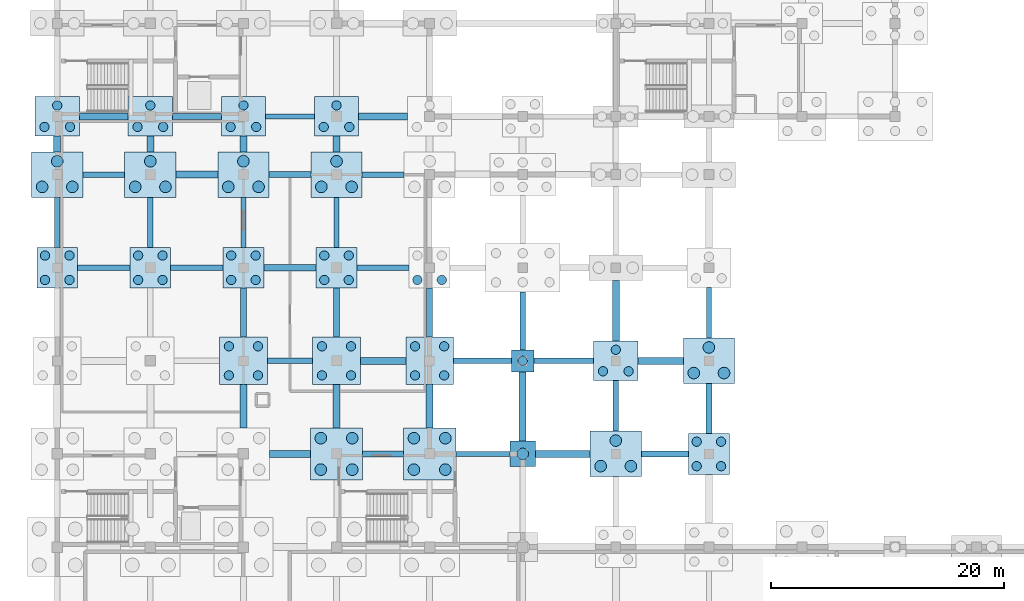
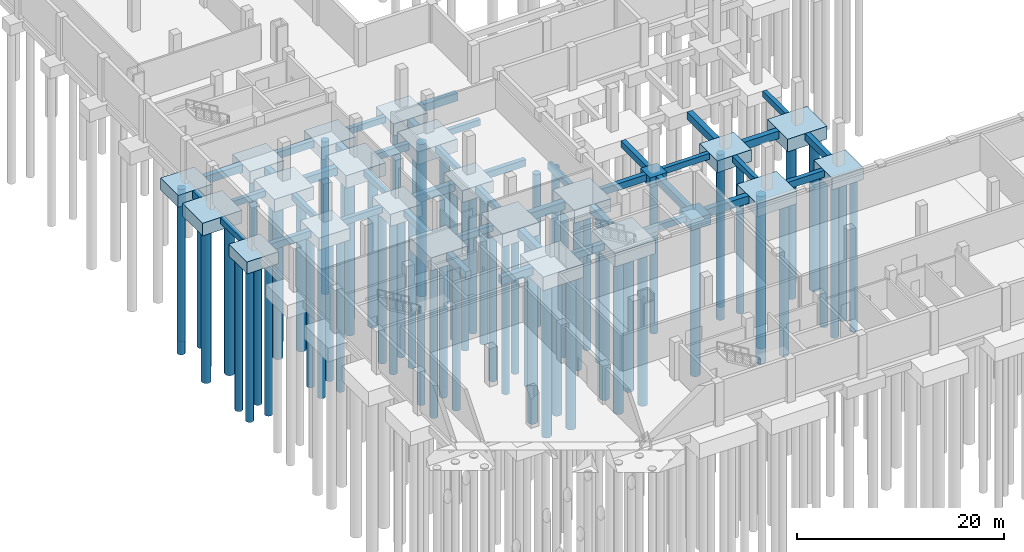
# One storey, part 3 of 26: 77 piles, 65 footings.
"""IFC4 building model written with IfcOpenShell, lengths in metres."""

from ifc_helpers import new_model, si_unit, direction, frame, origin, origin_2d, place, context, subcontext, project, spatial, rectangle, circle, extrude, material, layer, layer_set, material_profile, profile_set, type_object, element, save


model = new_model("IFC4")

# Units and contexts
model_context = context("Model", 3, precision=1e-05, world=origin(), true_north=direction((0.0, 1.0)))
body_context = subcontext(model_context, "Body", "Model", "MODEL_VIEW")
ifc_project = project(units=[si_unit("LENGTHUNIT", "METRE"), si_unit("AREAUNIT", "SQUARE_METRE"), si_unit("VOLUMEUNIT", "CUBIC_METRE"), si_unit("PLANEANGLEUNIT", "RADIAN"), si_unit("MASSUNIT", "GRAM", prefix="KILO")], contexts=[model_context])

# Site, building, storey
site_placement = place(None, origin())
site = spatial("IfcSite", under=ifc_project, at=site_placement, CompositionType="ELEMENT")
building_placement = place(site_placement, origin())
building = spatial("IfcBuilding", under=site, at=building_placement, Name="Qorikala Patio Media Centre", CompositionType="ELEMENT")
storey_placement = place(building_placement, frame((0.0, 0.0, -4.5)))
storey = spatial("IfcBuildingStorey", under=building, at=storey_placement, Name="B1", CompositionType="ELEMENT", Elevation=-4.5)

# Footings
ifc_material = material(Name="Concrete C30/37", Category="concrete")
ifc_material_profile_1 = material_profile(ifc_material, rectangle(XDim=0.449951171875, YDim=0.699951171875, at=origin_2d()), Name="RC 450x700")
ifc_profile_set_1 = profile_set([ifc_material_profile_1], Name="Concrete C30/37")
footing_type_1 = type_object("IfcFootingType", Name="GB-450X700", PredefinedType="FOOTING_BEAM", material=ifc_profile_set_1)
footing_1_placement = place(storey_placement, frame((37.25, 35.0, -0.949951171875), z_axis=(1.0, 0.0, 0.0), x_axis=(0.0, 1.0, 0.0)))
element("IfcFooting", 1, at=footing_1_placement, inside=storey, type_object=footing_type_1, Name="Ground Tie Beam X-089", PredefinedType="FOOTING_BEAM", context=body_context, shape_type="SweptSolid", body=[
    extrude(rectangle(XDim=0.449951171875, YDim=0.699951171875, at=origin_2d()), origin(), (0.0, 0.0, 1.0), 4.64990234375),
])
footing_2_placement = place(storey_placement, frame((21.050048828125, 43.0, -0.949951171875), z_axis=(1.0, 0.0, 0.0), x_axis=(0.0, 1.0, 0.0)))
element("IfcFooting", 2, at=footing_2_placement, inside=storey, type_object=footing_type_1, Name="Ground Tie Beam X-098", PredefinedType="FOOTING_BEAM", context=body_context, shape_type="SweptSolid", body=[
    extrude(rectangle(XDim=0.449951171875, YDim=0.699951171875, at=origin_2d()), origin(), (0.0, 0.0, 1.0), 3.89990234375),
])
footing_3_placement = place(storey_placement, frame((43.949951171875, 43.0, -0.949951171875), z_axis=(1.0, 0.0, 0.0), x_axis=(0.0, 1.0, 0.0)))
element("IfcFooting", 3, at=footing_3_placement, inside=storey, type_object=footing_type_1, Name="Ground Tie Beam X-101", PredefinedType="FOOTING_BEAM", context=body_context, shape_type="SweptSolid", body=[
    extrude(rectangle(XDim=0.449951171875, YDim=0.699951171875, at=origin_2d()), origin(), (0.0, 0.0, 1.0), 5.150146484375),
])
footing_4_placement = place(storey_placement, frame((12.75, 51.0, -0.949951171875), z_axis=(1.0, 0.0, 0.0), x_axis=(0.0, 1.0, 0.0)))
element("IfcFooting", 4, at=footing_4_placement, inside=storey, type_object=footing_type_1, Name="Ground Tie Beam X-104", PredefinedType="FOOTING_BEAM", context=body_context, shape_type="SweptSolid", body=[
    extrude(rectangle(XDim=0.449951171875, YDim=0.699951171875, at=origin_2d()), origin(), (0.0, 0.0, 1.0), 4.5),
])
for number, where, z_axis, x_axis, name in (
    (5, (5.199951171875, 59.0, -0.949951171875), (1.0, 0.0, 0.0), (0.0, 1.0, 0.0), "Ground Tie Beam X-110"),
    (6, (29.199951171875, 59.0, -0.949951171875), (1.0, 0.0, 0.0), (0.0, 1.0, 0.0), "Ground Tie Beam X-113"),
):
    element("IfcFooting", number, at=place(storey_placement, frame(where, z_axis=z_axis, x_axis=x_axis)), inside=storey, type_object=footing_type_1, Name=name, PredefinedType="FOOTING_BEAM", context=body_context, shape_type="SweptSolid", body=[
        extrude(rectangle(XDim=0.449951171875, YDim=0.699951171875, at=origin_2d()), origin(), (0.0, 0.0, 1.0), 3.60009765625),
    ])
footing_5_placement = place(storey_placement, frame((20.89990234375, 64.0, -0.949951171875), z_axis=(1.0, 0.0, 0.0), x_axis=(0.0, 1.0, 0.0)))
element("IfcFooting", 7, at=footing_5_placement, inside=storey, type_object=footing_type_1, Name="Ground Tie Beam X-119", PredefinedType="FOOTING_BEAM", context=body_context, shape_type="SweptSolid", body=[
    extrude(rectangle(XDim=0.449951171875, YDim=0.699951171875, at=origin_2d()), origin(), (0.0, 0.0, 1.0), 4.2001953125),
])
for number, where, z_axis, x_axis, name in (
    (8, (3.0, 52.75, -0.949951171875), (0.0, 1.0, 0.0), (-1.0, 0.0, 0.0), "Ground Tie Beam Y-173"),
    (9, (11.0, 52.75, -0.949951171875), (0.0, 1.0, 0.0), (-1.0, 0.0, 0.0), "Ground Tie Beam Y-188"),
    (10, (19.0, 52.75, -0.949951171875), (0.0, 1.0, 0.0), (-1.0, 0.0, 0.0), "Ground Tie Beam Y-203"),
    (11, (27.0, 52.75, -0.949951171875), (0.0, 1.0, 0.0), (-1.0, 0.0, 0.0), "Ground Tie Beam Y-218"),
):
    element("IfcFooting", number, at=place(storey_placement, frame(where, z_axis=z_axis, x_axis=x_axis)), inside=storey, type_object=footing_type_1, Name=name, PredefinedType="FOOTING_BEAM", context=body_context, shape_type="SweptSolid", body=[
        extrude(rectangle(XDim=0.449951171875, YDim=0.699951171875, at=origin_2d()), origin(), (0.0, 0.0, 1.0), 4.300048828125),
    ])
for number, where, z_axis, x_axis, name in (
    (12, (51.0, 36.949951171875, -0.949951171875), (0.0, 1.0, 0.0), (-1.0, 0.0, 0.0), "Ground Tie Beam Y-248"),
    (13, (59.0, 44.949951171875, -0.949951171875), (0.0, 1.0, 0.0), (-1.0, 0.0, 0.0), "Ground Tie Beam Y-263"),
):
    element("IfcFooting", number, at=place(storey_placement, frame(where, z_axis=z_axis, x_axis=x_axis)), inside=storey, type_object=footing_type_1, Name=name, PredefinedType="FOOTING_BEAM", context=body_context, shape_type="SweptSolid", body=[
        extrude(rectangle(XDim=0.449951171875, YDim=0.699951171875, at=origin_2d()), origin(), (0.0, 0.0, 1.0), 4.35009765625),
    ])
ifc_material_profile_2 = material_profile(ifc_material, rectangle(XDim=0.5, YDim=0.800048828125, at=origin_2d()), Name="RC 500x800")
ifc_profile_set_2 = profile_set([ifc_material_profile_2], Name="Concrete C30/37")
footing_type_2 = type_object("IfcFootingType", Name="GB-500X800", PredefinedType="FOOTING_BEAM", material=ifc_profile_set_2)
footing_6_placement = place(storey_placement, frame((29.25, 35.0, -1.0), z_axis=(1.0, 0.0, 0.0), x_axis=(0.0, 1.0, 0.0)))
element("IfcFooting", 14, at=footing_6_placement, inside=storey, type_object=footing_type_2, Name="Ground Tie Beam X-088", PredefinedType="FOOTING_BEAM", context=body_context, shape_type="SweptSolid", body=[
    extrude(rectangle(XDim=0.5, YDim=0.800048828125, at=origin_2d()), origin(), (0.0, 0.0, 1.0), 3.5),
])
footing_7_placement = place(storey_placement, frame((53.199951171875, 35.0, -1.0), z_axis=(1.0, 0.0, 0.0), x_axis=(0.0, 1.0, 0.0)))
element("IfcFooting", 15, at=footing_7_placement, inside=storey, type_object=footing_type_2, Name="Ground Tie Beam X-091", PredefinedType="FOOTING_BEAM", context=body_context, shape_type="SweptSolid", body=[
    extrude(rectangle(XDim=0.5, YDim=0.800048828125, at=origin_2d()), origin(), (0.0, 0.0, 1.0), 4.050048828125),
])
footing_8_placement = place(storey_placement, frame((37.050048828125, 43.0, -1.0), z_axis=(1.0, 0.0, 0.0), x_axis=(0.0, 1.0, 0.0)))
element("IfcFooting", 16, at=footing_8_placement, inside=storey, type_object=footing_type_2, Name="Ground Tie Beam X-100", PredefinedType="FOOTING_BEAM", context=body_context, shape_type="SweptSolid", body=[
    extrude(rectangle(XDim=0.5, YDim=0.800048828125, at=origin_2d()), origin(), (0.0, 0.0, 1.0), 5.0),
])
for number, where, z_axis, x_axis, name in (
    (17, (4.75, 51.0, -1.0), (1.0, 0.0, 0.0), (0.0, 1.0, 0.0), "Ground Tie Beam X-103"),
    (18, (28.75, 51.0, -1.0), (1.0, 0.0, 0.0), (0.0, 1.0, 0.0), "Ground Tie Beam X-106"),
):
    element("IfcFooting", number, at=place(storey_placement, frame(where, z_axis=z_axis, x_axis=x_axis)), inside=storey, type_object=footing_type_2, Name=name, PredefinedType="FOOTING_BEAM", context=body_context, shape_type="SweptSolid", body=[
        extrude(rectangle(XDim=0.5, YDim=0.800048828125, at=origin_2d()), origin(), (0.0, 0.0, 1.0), 4.5),
    ])
footing_9_placement = place(storey_placement, frame((21.199951171875, 59.0, -1.0), z_axis=(1.0, 0.0, 0.0), x_axis=(0.0, 1.0, 0.0)))
element("IfcFooting", 19, at=footing_9_placement, inside=storey, type_object=footing_type_2, Name="Ground Tie Beam X-112", PredefinedType="FOOTING_BEAM", context=body_context, shape_type="SweptSolid", body=[
    extrude(rectangle(XDim=0.5, YDim=0.800048828125, at=origin_2d()), origin(), (0.0, 0.0, 1.0), 3.60009765625),
])
footing_10_placement = place(storey_placement, frame((12.89990234375, 64.0, -1.0), z_axis=(1.0, 0.0, 0.0), x_axis=(0.0, 1.0, 0.0)))
element("IfcFooting", 20, at=footing_10_placement, inside=storey, type_object=footing_type_2, Name="Ground Tie Beam X-118", PredefinedType="FOOTING_BEAM", context=body_context, shape_type="SweptSolid", body=[
    extrude(rectangle(XDim=0.5, YDim=0.800048828125, at=origin_2d()), origin(), (0.0, 0.0, 1.0), 4.2001953125),
])
for number, where, z_axis, x_axis, name in (
    (21, (19.0, 45.050048828125, -1.0), (0.0, 1.0, 0.0), (-1.0, 0.0, 0.0), "Ground Tie Beam Y-202"),
    (22, (27.0, 45.050048828125, -1.0), (0.0, 1.0, 0.0), (-1.0, 0.0, 0.0), "Ground Tie Beam Y-217"),
    (23, (35.0, 45.050048828125, -1.0), (0.0, 1.0, 0.0), (-1.0, 0.0, 0.0), "Ground Tie Beam Y-232"),
):
    element("IfcFooting", number, at=place(storey_placement, frame(where, z_axis=z_axis, x_axis=x_axis)), inside=storey, type_object=footing_type_2, Name=name, PredefinedType="FOOTING_BEAM", context=body_context, shape_type="SweptSolid", body=[
        extrude(rectangle(XDim=0.5, YDim=0.800048828125, at=origin_2d()), origin(), (0.0, 0.0, 1.0), 4.199951171875),
    ])
footing_11_placement = place(storey_placement, frame((43.0, 43.949951171875, -1.0), z_axis=(0.0, 1.0, 0.0), x_axis=(-1.0, 0.0, 0.0)))
element("IfcFooting", 24, at=footing_11_placement, inside=storey, type_object=footing_type_2, Name="Ground Tie Beam Y-241", PredefinedType="FOOTING_BEAM", context=body_context, shape_type="SweptSolid", body=[
    extrude(rectangle(XDim=0.5, YDim=0.800048828125, at=origin_2d()), origin(), (0.0, 0.0, 1.0), 4.949951171875),
])
footing_12_placement = place(storey_placement, frame((59.0, 36.75, -1.0), z_axis=(0.0, 1.0, 0.0), x_axis=(-1.0, 0.0, 0.0)))
element("IfcFooting", 25, at=footing_12_placement, inside=storey, type_object=footing_type_2, Name="Ground Tie Beam Y-262", PredefinedType="FOOTING_BEAM", context=body_context, shape_type="SweptSolid", body=[
    extrude(rectangle(XDim=0.5, YDim=0.800048828125, at=origin_2d()), origin(), (0.0, 0.0, 1.0), 4.300048828125),
])
ifc_material_profile_3 = material_profile(ifc_material, rectangle(XDim=0.60009765625, YDim=0.89990234375, at=origin_2d()), Name="RC 600x900")
ifc_profile_set_3 = profile_set([ifc_material_profile_3], Name="Concrete C30/37")
footing_type_3 = type_object("IfcFootingType", Name="GB-600X900", PredefinedType="FOOTING_BEAM", material=ifc_profile_set_3)
footing_13_placement = place(storey_placement, frame((21.25, 35.0, -1.050048828125), z_axis=(1.0, 0.0, 0.0), x_axis=(0.0, 1.0, 0.0)))
element("IfcFooting", 26, at=footing_13_placement, inside=storey, type_object=footing_type_3, Name="Ground Tie Beam X-087", PredefinedType="FOOTING_BEAM", context=body_context, shape_type="SweptSolid", body=[
    extrude(rectangle(XDim=0.60009765625, YDim=0.89990234375, at=origin_2d()), origin(), (0.0, 0.0, 1.0), 3.5),
])
footing_14_placement = place(storey_placement, frame((44.10009765625, 35.0, -1.050048828125), z_axis=(1.0, 0.0, 0.0), x_axis=(0.0, 1.0, 0.0)))
element("IfcFooting", 27, at=footing_14_placement, inside=storey, type_object=footing_type_3, Name="Ground Tie Beam X-090", PredefinedType="FOOTING_BEAM", context=body_context, shape_type="SweptSolid", body=[
    extrude(rectangle(XDim=0.60009765625, YDim=0.89990234375, at=origin_2d()), origin(), (0.0, 0.0, 1.0), 4.699951171875),
])
footing_15_placement = place(storey_placement, frame((29.050048828125, 43.0, -1.050048828125), z_axis=(1.0, 0.0, 0.0), x_axis=(0.0, 1.0, 0.0)))
element("IfcFooting", 28, at=footing_15_placement, inside=storey, type_object=footing_type_3, Name="Ground Tie Beam X-099", PredefinedType="FOOTING_BEAM", context=body_context, shape_type="SweptSolid", body=[
    extrude(rectangle(XDim=0.60009765625, YDim=0.89990234375, at=origin_2d()), origin(), (0.0, 0.0, 1.0), 3.89990234375),
])
footing_16_placement = place(storey_placement, frame((52.89990234375, 43.0, -1.050048828125), z_axis=(1.0, 0.0, 0.0), x_axis=(0.0, 1.0, 0.0)))
element("IfcFooting", 29, at=footing_16_placement, inside=storey, type_object=footing_type_3, Name="Ground Tie Beam X-102", PredefinedType="FOOTING_BEAM", context=body_context, shape_type="SweptSolid", body=[
    extrude(rectangle(XDim=0.60009765625, YDim=0.89990234375, at=origin_2d()), origin(), (0.0, 0.0, 1.0), 3.900146484375),
])
footing_17_placement = place(storey_placement, frame((20.75, 51.0, -1.050048828125), z_axis=(1.0, 0.0, 0.0), x_axis=(0.0, 1.0, 0.0)))
element("IfcFooting", 30, at=footing_17_placement, inside=storey, type_object=footing_type_3, Name="Ground Tie Beam X-105", PredefinedType="FOOTING_BEAM", context=body_context, shape_type="SweptSolid", body=[
    extrude(rectangle(XDim=0.60009765625, YDim=0.89990234375, at=origin_2d()), origin(), (0.0, 0.0, 1.0), 4.5),
])
footing_18_placement = place(storey_placement, frame((13.199951171875, 59.0, -1.050048828125), z_axis=(1.0, 0.0, 0.0), x_axis=(0.0, 1.0, 0.0)))
element("IfcFooting", 31, at=footing_18_placement, inside=storey, type_object=footing_type_3, Name="Ground Tie Beam X-111", PredefinedType="FOOTING_BEAM", context=body_context, shape_type="SweptSolid", body=[
    extrude(rectangle(XDim=0.60009765625, YDim=0.89990234375, at=origin_2d()), origin(), (0.0, 0.0, 1.0), 3.60009765625),
])
for number, where, z_axis, x_axis, name in (
    (32, (4.89990234375, 64.0, -1.050048828125), (1.0, 0.0, 0.0), (0.0, 1.0, 0.0), "Ground Tie Beam X-117"),
    (33, (28.89990234375, 64.0, -1.050048828125), (1.0, 0.0, 0.0), (0.0, 1.0, 0.0), "Ground Tie Beam X-120"),
):
    element("IfcFooting", number, at=place(storey_placement, frame(where, z_axis=z_axis, x_axis=x_axis)), inside=storey, type_object=footing_type_3, Name=name, PredefinedType="FOOTING_BEAM", context=body_context, shape_type="SweptSolid", body=[
        extrude(rectangle(XDim=0.60009765625, YDim=0.89990234375, at=origin_2d()), origin(), (0.0, 0.0, 1.0), 4.2001953125),
    ])
for number, where, z_axis, x_axis, name in (
    (34, (3.0, 60.949951171875, -1.050048828125), (0.0, 1.0, 0.0), (-1.0, 0.0, 0.0), "Ground Tie Beam Y-174"),
    (35, (11.0, 60.949951171875, -1.050048828125), (0.0, 1.0, 0.0), (-1.0, 0.0, 0.0), "Ground Tie Beam Y-189"),
):
    element("IfcFooting", number, at=place(storey_placement, frame(where, z_axis=z_axis, x_axis=x_axis)), inside=storey, type_object=footing_type_3, Name=name, PredefinedType="FOOTING_BEAM", context=body_context, shape_type="SweptSolid", body=[
        extrude(rectangle(XDim=0.60009765625, YDim=0.89990234375, at=origin_2d()), origin(), (0.0, 0.0, 1.0), 1.35009765625),
    ])
footing_19_placement = place(storey_placement, frame((19.0, 37.25, -1.050048828125), z_axis=(0.0, 1.0, 0.0), x_axis=(-1.0, 0.0, 0.0)))
element("IfcFooting", 36, at=footing_19_placement, inside=storey, type_object=footing_type_3, Name="Ground Tie Beam Y-201", PredefinedType="FOOTING_BEAM", context=body_context, shape_type="SweptSolid", body=[
    extrude(rectangle(XDim=0.60009765625, YDim=0.89990234375, at=origin_2d()), origin(), (0.0, 0.0, 1.0), 3.699951171875),
])
footing_20_placement = place(storey_placement, frame((19.0, 60.949951171875, -1.050048828125), z_axis=(0.0, 1.0, 0.0), x_axis=(-1.0, 0.0, 0.0)))
element("IfcFooting", 37, at=footing_20_placement, inside=storey, type_object=footing_type_3, Name="Ground Tie Beam Y-204", PredefinedType="FOOTING_BEAM", context=body_context, shape_type="SweptSolid", body=[
    extrude(rectangle(XDim=0.60009765625, YDim=0.89990234375, at=origin_2d()), origin(), (0.0, 0.0, 1.0), 1.35009765625),
])
footing_21_placement = place(storey_placement, frame((27.0, 37.25, -1.050048828125), z_axis=(0.0, 1.0, 0.0), x_axis=(-1.0, 0.0, 0.0)))
element("IfcFooting", 38, at=footing_21_placement, inside=storey, type_object=footing_type_3, Name="Ground Tie Beam Y-216", PredefinedType="FOOTING_BEAM", context=body_context, shape_type="SweptSolid", body=[
    extrude(rectangle(XDim=0.60009765625, YDim=0.89990234375, at=origin_2d()), origin(), (0.0, 0.0, 1.0), 3.699951171875),
])
footing_22_placement = place(storey_placement, frame((27.0, 60.949951171875, -1.050048828125), z_axis=(0.0, 1.0, 0.0), x_axis=(-1.0, 0.0, 0.0)))
element("IfcFooting", 39, at=footing_22_placement, inside=storey, type_object=footing_type_3, Name="Ground Tie Beam Y-219", PredefinedType="FOOTING_BEAM", context=body_context, shape_type="SweptSolid", body=[
    extrude(rectangle(XDim=0.60009765625, YDim=0.89990234375, at=origin_2d()), origin(), (0.0, 0.0, 1.0), 1.35009765625),
])
footing_23_placement = place(storey_placement, frame((35.0, 37.25, -1.050048828125), z_axis=(0.0, 1.0, 0.0), x_axis=(-1.0, 0.0, 0.0)))
element("IfcFooting", 40, at=footing_23_placement, inside=storey, type_object=footing_type_3, Name="Ground Tie Beam Y-231", PredefinedType="FOOTING_BEAM", context=body_context, shape_type="SweptSolid", body=[
    extrude(rectangle(XDim=0.60009765625, YDim=0.89990234375, at=origin_2d()), origin(), (0.0, 0.0, 1.0), 3.699951171875),
])
footing_24_placement = place(storey_placement, frame((43.0, 36.10009765625, -1.050048828125), z_axis=(0.0, 1.0, 0.0), x_axis=(-1.0, 0.0, 0.0)))
element("IfcFooting", 41, at=footing_24_placement, inside=storey, type_object=footing_type_3, Name="Ground Tie Beam Y-240", PredefinedType="FOOTING_BEAM", context=body_context, shape_type="SweptSolid", body=[
    extrude(rectangle(XDim=0.60009765625, YDim=0.89990234375, at=origin_2d()), origin(), (0.0, 0.0, 1.0), 5.949951171875),
])
footing_25_placement = place(storey_placement, frame((51.0, 44.699951171875, -1.050048828125), z_axis=(0.0, 1.0, 0.0), x_axis=(-1.0, 0.0, 0.0)))
element("IfcFooting", 42, at=footing_25_placement, inside=storey, type_object=footing_type_3, Name="Ground Tie Beam Y-249", PredefinedType="FOOTING_BEAM", context=body_context, shape_type="SweptSolid", body=[
    extrude(rectangle(XDim=0.60009765625, YDim=0.89990234375, at=origin_2d()), origin(), (0.0, 0.0, 1.0), 5.199951171875),
])
ifc_layer_1 = layer(ifc_material, 1.14990234375)
ifc_layer_set_1 = layer_set([ifc_layer_1], Name="Concrete C30/37")
footing_type_4 = type_object("IfcFootingType", Name="PC-1A", PredefinedType="PILE_CAP", material=ifc_layer_set_1)
footing_26_placement = place(storey_placement, frame((43.0, 43.0, -1.75), z_axis=(0.0, 0.0, 1.0), x_axis=(1.0, 0.0, 0.0)))
element("IfcFooting", 43, at=footing_26_placement, inside=storey, type_object=footing_type_4, Name="Pile Cap PC-1A at (43.0,43.0)", PredefinedType="PILE_CAP", context=body_context, shape_type="SweptSolid", body=[
    extrude(rectangle(XDim=1.89990234375, YDim=1.89990234375, at=origin_2d()), origin(), (0.0, 0.0, 1.0), 1.14990234375),
])
ifc_layer_2 = layer(ifc_material, 1.25)
ifc_layer_set_2 = layer_set([ifc_layer_2], Name="Concrete C30/37")
footing_type_5 = type_object("IfcFootingType", Name="PC-1B", PredefinedType="PILE_CAP", material=ifc_layer_set_2)
footing_27_placement = place(storey_placement, frame((43.0, 35.0, -1.85009765625), z_axis=(0.0, 0.0, 1.0), x_axis=(1.0, 0.0, 0.0)))
element("IfcFooting", 44, at=footing_27_placement, inside=storey, type_object=footing_type_5, Name="Pile Cap PC-1B at (43.0,35.0)", PredefinedType="PILE_CAP", context=body_context, shape_type="SweptSolid", body=[
    extrude(rectangle(XDim=2.199951171875, YDim=2.199951171875, at=origin_2d()), origin(), (0.0, 0.0, 1.0), 1.25),
])
ifc_layer_3 = layer(ifc_material, 1.39990234375)
ifc_layer_set_3 = layer_set([ifc_layer_3], Name="Concrete C30/37")
footing_type_6 = type_object("IfcFootingType", Name="PC-3A", PredefinedType="PILE_CAP", material=ifc_layer_set_3)
for number, where, z_axis, x_axis, name in (
    (45, (3.0, 64.0, -2.0), (0.0, 0.0, 1.0), (1.0, 0.0, 0.0), "Pile Cap PC-3A at (3.0,64.0)"),
    (46, (11.0, 64.0, -2.0), (0.0, 0.0, 1.0), (1.0, 0.0, 0.0), "Pile Cap PC-3A at (11.0,64.0)"),
    (47, (19.0, 64.0, -2.0), (0.0, 0.0, 1.0), (1.0, 0.0, 0.0), "Pile Cap PC-3A at (19.0,64.0)"),
    (48, (27.0, 64.0, -2.0), (0.0, 0.0, 1.0), (1.0, 0.0, 0.0), "Pile Cap PC-3A at (27.0,64.0)"),
    (49, (51.0, 43.0, -2.0), (0.0, 0.0, 1.0), (1.0, 0.0, 0.0), "Pile Cap PC-3A at (51.0,43.0)"),
):
    element("IfcFooting", number, at=place(storey_placement, frame(where, z_axis=z_axis, x_axis=x_axis)), inside=storey, type_object=footing_type_6, Name=name, PredefinedType="PILE_CAP", context=body_context, shape_type="SweptSolid", body=[
        extrude(rectangle(XDim=3.800048828125, YDim=3.39990234375, at=origin_2d()), origin(), (0.0, 0.0, 1.0), 1.39990234375),
    ])
ifc_layer_4 = layer(ifc_material, 1.5)
ifc_layer_set_4 = layer_set([ifc_layer_4], Name="Concrete C30/37")
footing_type_7 = type_object("IfcFootingType", Name="PC-3B", PredefinedType="PILE_CAP", material=ifc_layer_set_4)
for number, where, z_axis, x_axis, name in (
    (50, (3.0, 59.0, -2.10009765625), (0.0, 0.0, 1.0), (1.0, 0.0, 0.0), "Pile Cap PC-3B at (3.0,59.0)"),
    (51, (11.0, 59.0, -2.10009765625), (0.0, 0.0, 1.0), (1.0, 0.0, 0.0), "Pile Cap PC-3B at (11.0,59.0)"),
    (52, (19.0, 59.0, -2.10009765625), (0.0, 0.0, 1.0), (1.0, 0.0, 0.0), "Pile Cap PC-3B at (19.0,59.0)"),
    (53, (27.0, 59.0, -2.10009765625), (0.0, 0.0, 1.0), (1.0, 0.0, 0.0), "Pile Cap PC-3B at (27.0,59.0)"),
    (54, (51.0, 35.0, -2.10009765625), (0.0, 0.0, 1.0), (1.0, 0.0, 0.0), "Pile Cap PC-3B at (51.0,35.0)"),
    (55, (59.0, 43.0, -2.10009765625), (0.0, 0.0, 1.0), (1.0, 0.0, 0.0), "Pile Cap PC-3B at (59.0,43.0)"),
):
    element("IfcFooting", number, at=place(storey_placement, frame(where, z_axis=z_axis, x_axis=x_axis)), inside=storey, type_object=footing_type_7, Name=name, PredefinedType="PILE_CAP", context=body_context, shape_type="SweptSolid", body=[
        extrude(rectangle(XDim=4.39990234375, YDim=3.89990234375, at=origin_2d()), origin(), (0.0, 0.0, 1.0), 1.5),
    ])
ifc_layer_5 = layer(ifc_material, 1.39990234375)
ifc_layer_set_5 = layer_set([ifc_layer_5], Name="Concrete C30/37")
footing_type_8 = type_object("IfcFootingType", Name="PC-4A", PredefinedType="PILE_CAP", material=ifc_layer_set_5)
for number, where, z_axis, x_axis, name in (
    (56, (3.0, 51.0, -2.0), (0.0, 0.0, 1.0), (1.0, 0.0, 0.0), "Pile Cap PC-4A at (3.0,51.0)"),
    (57, (11.0, 51.0, -2.0), (0.0, 0.0, 1.0), (1.0, 0.0, 0.0), "Pile Cap PC-4A at (11.0,51.0)"),
    (58, (19.0, 51.0, -2.0), (0.0, 0.0, 1.0), (1.0, 0.0, 0.0), "Pile Cap PC-4A at (19.0,51.0)"),
    (59, (27.0, 51.0, -2.0), (0.0, 0.0, 1.0), (1.0, 0.0, 0.0), "Pile Cap PC-4A at (27.0,51.0)"),
    (60, (59.0, 35.0, -2.0), (0.0, 0.0, 1.0), (1.0, 0.0, 0.0), "Pile Cap PC-4A at (59.0,35.0)"),
):
    element("IfcFooting", number, at=place(storey_placement, frame(where, z_axis=z_axis, x_axis=x_axis)), inside=storey, type_object=footing_type_8, Name=name, PredefinedType="PILE_CAP", context=body_context, shape_type="SweptSolid", body=[
        extrude(rectangle(XDim=3.5, YDim=3.5, at=origin_2d()), origin(), (0.0, 0.0, 1.0), 1.39990234375),
    ])
ifc_layer_6 = layer(ifc_material, 1.5)
ifc_layer_set_6 = layer_set([ifc_layer_6], Name="Concrete C30/37")
footing_type_9 = type_object("IfcFootingType", Name="PC-4B", PredefinedType="PILE_CAP", material=ifc_layer_set_6)
for number, where, z_axis, x_axis, name in (
    (61, (19.0, 43.0, -2.10009765625), (0.0, 0.0, 1.0), (1.0, 0.0, 0.0), "Pile Cap PC-4B at (19.0,43.0)"),
    (62, (27.0, 43.0, -2.10009765625), (0.0, 0.0, 1.0), (1.0, 0.0, 0.0), "Pile Cap PC-4B at (27.0,43.0)"),
    (63, (35.0, 43.0, -2.10009765625), (0.0, 0.0, 1.0), (1.0, 0.0, 0.0), "Pile Cap PC-4B at (35.0,43.0)"),
):
    element("IfcFooting", number, at=place(storey_placement, frame(where, z_axis=z_axis, x_axis=x_axis)), inside=storey, type_object=footing_type_9, Name=name, PredefinedType="PILE_CAP", context=body_context, shape_type="SweptSolid", body=[
        extrude(rectangle(XDim=4.10009765625, YDim=4.10009765625, at=origin_2d()), origin(), (0.0, 0.0, 1.0), 1.5),
    ])
ifc_layer_7 = layer(ifc_material, 1.60009765625)
ifc_layer_set_7 = layer_set([ifc_layer_7], Name="Concrete C30/37")
footing_type_10 = type_object("IfcFootingType", Name="PC-4C", PredefinedType="PILE_CAP", material=ifc_layer_set_7)
for number, where, z_axis, x_axis, name in (
    (64, (27.0, 35.0, -2.199951171875), (0.0, 0.0, 1.0), (1.0, 0.0, 0.0), "Pile Cap PC-4C at (27.0,35.0)"),
    (65, (35.0, 35.0, -2.199951171875), (0.0, 0.0, 1.0), (1.0, 0.0, 0.0), "Pile Cap PC-4C at (35.0,35.0)"),
):
    element("IfcFooting", number, at=place(storey_placement, frame(where, z_axis=z_axis, x_axis=x_axis)), inside=storey, type_object=footing_type_10, Name=name, PredefinedType="PILE_CAP", context=body_context, shape_type="SweptSolid", body=[
        extrude(rectangle(XDim=4.5, YDim=4.5, at=origin_2d()), origin(), (0.0, 0.0, 1.0), 1.60009765625),
    ])

# Piles
ifc_material_profile_4 = material_profile(ifc_material, circle(Radius=0.5, at=origin_2d()), Name="BORED PILE 1000")
ifc_profile_set_4 = profile_set([ifc_material_profile_4], Name="Concrete C30/37")
pile_type_1 = type_object("IfcPileType", Name="PILE-1000", PredefinedType="BORED", material=ifc_profile_set_4)
for number, where, z_axis, x_axis, name in (
    (66, (1.699951171875, 57.949951171875, -2.0), (0.0, 0.0, -1.0), (1.0, 0.0, 0.0), "Bored Pile 0034"),
    (67, (4.300048828125, 57.949951171875, -2.0), (0.0, 0.0, -1.0), (1.0, 0.0, 0.0), "Bored Pile 0035"),
    (68, (3.0, 60.14990234375, -2.0), (0.0, 0.0, -1.0), (1.0, 0.0, 0.0), "Bored Pile 0036"),
    (69, (9.699951171875, 57.949951171875, -2.0), (0.0, 0.0, -1.0), (1.0, 0.0, 0.0), "Bored Pile 0084"),
    (70, (12.300048828125, 57.949951171875, -2.0), (0.0, 0.0, -1.0), (1.0, 0.0, 0.0), "Bored Pile 0085"),
    (71, (11.0, 60.14990234375, -2.0), (0.0, 0.0, -1.0), (1.0, 0.0, 0.0), "Bored Pile 0086"),
    (72, (17.699951171875, 57.949951171875, -2.0), (0.0, 0.0, -1.0), (1.0, 0.0, 0.0), "Bored Pile 0134"),
    (73, (20.300048828125, 57.949951171875, -2.0), (0.0, 0.0, -1.0), (1.0, 0.0, 0.0), "Bored Pile 0135"),
    (74, (19.0, 60.14990234375, -2.0), (0.0, 0.0, -1.0), (1.0, 0.0, 0.0), "Bored Pile 0136"),
    (75, (25.64990234375, 33.64990234375, -2.10009765625), (0.0, 0.0, -1.0), (1.0, 0.0, 0.0), "Bored Pile 0172"),
    (76, (28.35009765625, 33.64990234375, -2.10009765625), (0.0, 0.0, -1.0), (1.0, 0.0, 0.0), "Bored Pile 0173"),
    (77, (25.64990234375, 36.35009765625, -2.10009765625), (0.0, 0.0, -1.0), (1.0, 0.0, 0.0), "Bored Pile 0174"),
    (78, (28.35009765625, 36.35009765625, -2.10009765625), (0.0, 0.0, -1.0), (1.0, 0.0, 0.0), "Bored Pile 0175"),
    (79, (25.699951171875, 57.949951171875, -2.0), (0.0, 0.0, -1.0), (1.0, 0.0, 0.0), "Bored Pile 0184"),
    (80, (28.300048828125, 57.949951171875, -2.0), (0.0, 0.0, -1.0), (1.0, 0.0, 0.0), "Bored Pile 0185"),
    (81, (27.0, 60.14990234375, -2.0), (0.0, 0.0, -1.0), (1.0, 0.0, 0.0), "Bored Pile 0186"),
    (82, (33.64990234375, 33.64990234375, -2.10009765625), (0.0, 0.0, -1.0), (1.0, 0.0, 0.0), "Bored Pile 0222"),
    (83, (36.35009765625, 33.64990234375, -2.10009765625), (0.0, 0.0, -1.0), (1.0, 0.0, 0.0), "Bored Pile 0223"),
    (84, (33.64990234375, 36.35009765625, -2.10009765625), (0.0, 0.0, -1.0), (1.0, 0.0, 0.0), "Bored Pile 0224"),
    (85, (36.35009765625, 36.35009765625, -2.10009765625), (0.0, 0.0, -1.0), (1.0, 0.0, 0.0), "Bored Pile 0225"),
    (86, (43.0, 35.0, -1.75), (0.0, 0.0, -1.0), (1.0, 0.0, 0.0), "Bored Pile 0249"),
    (87, (49.699951171875, 33.949951171875, -2.0), (0.0, 0.0, -1.0), (1.0, 0.0, 0.0), "Bored Pile 0283"),
    (88, (52.300048828125, 33.949951171875, -2.0), (0.0, 0.0, -1.0), (1.0, 0.0, 0.0), "Bored Pile 0284"),
    (89, (51.0, 36.14990234375, -2.0), (0.0, 0.0, -1.0), (1.0, 0.0, 0.0), "Bored Pile 0285"),
    (90, (57.699951171875, 41.949951171875, -2.0), (0.0, 0.0, -1.0), (1.0, 0.0, 0.0), "Bored Pile 0333"),
    (91, (60.300048828125, 41.949951171875, -2.0), (0.0, 0.0, -1.0), (1.0, 0.0, 0.0), "Bored Pile 0334"),
    (92, (59.0, 44.14990234375, -2.0), (0.0, 0.0, -1.0), (1.0, 0.0, 0.0), "Bored Pile 0335"),
):
    element("IfcPile", number, at=place(storey_placement, frame(where, z_axis=z_axis, x_axis=x_axis)), inside=storey, type_object=pile_type_1, Name=name, PredefinedType="BORED", context=body_context, shape_type="SweptSolid", body=[
        extrude(circle(Radius=0.5, at=origin_2d()), origin(), (0.0, 0.0, 1.0), 18.0),
    ])
ifc_material_profile_5 = material_profile(ifc_material, circle(Radius=0.39990234375, at=origin_2d()), Name="BORED PILE 800")
ifc_profile_set_5 = profile_set([ifc_material_profile_5], Name="Concrete C30/37")
pile_type_2 = type_object("IfcPileType", Name="PILE-800", PredefinedType="BORED", material=ifc_profile_set_5)
for number, where, z_axis, x_axis, name in (
    (93, (1.949951171875, 49.949951171875, -1.89990234375), (0.0, 0.0, -1.0), (1.0, 0.0, 0.0), "Bored Pile 0030"),
    (94, (4.050048828125, 49.949951171875, -1.89990234375), (0.0, 0.0, -1.0), (1.0, 0.0, 0.0), "Bored Pile 0031"),
    (95, (1.949951171875, 52.050048828125, -1.89990234375), (0.0, 0.0, -1.0), (1.0, 0.0, 0.0), "Bored Pile 0032"),
    (96, (4.050048828125, 52.050048828125, -1.89990234375), (0.0, 0.0, -1.0), (1.0, 0.0, 0.0), "Bored Pile 0033"),
    (97, (1.89990234375, 63.10009765625, -1.89990234375), (0.0, 0.0, -1.0), (1.0, 0.0, 0.0), "Bored Pile 0037"),
    (98, (4.10009765625, 63.10009765625, -1.89990234375), (0.0, 0.0, -1.0), (1.0, 0.0, 0.0), "Bored Pile 0038"),
    (99, (3.0, 64.949951171875, -1.89990234375), (0.0, 0.0, -1.0), (1.0, 0.0, 0.0), "Bored Pile 0039"),
    (100, (9.949951171875, 49.949951171875, -1.89990234375), (0.0, 0.0, -1.0), (1.0, 0.0, 0.0), "Bored Pile 0080"),
    (101, (12.050048828125, 49.949951171875, -1.89990234375), (0.0, 0.0, -1.0), (1.0, 0.0, 0.0), "Bored Pile 0081"),
    (102, (9.949951171875, 52.050048828125, -1.89990234375), (0.0, 0.0, -1.0), (1.0, 0.0, 0.0), "Bored Pile 0082"),
    (103, (12.050048828125, 52.050048828125, -1.89990234375), (0.0, 0.0, -1.0), (1.0, 0.0, 0.0), "Bored Pile 0083"),
    (104, (9.89990234375, 63.10009765625, -1.89990234375), (0.0, 0.0, -1.0), (1.0, 0.0, 0.0), "Bored Pile 0087"),
    (105, (12.10009765625, 63.10009765625, -1.89990234375), (0.0, 0.0, -1.0), (1.0, 0.0, 0.0), "Bored Pile 0088"),
    (106, (11.0, 64.949951171875, -1.89990234375), (0.0, 0.0, -1.0), (1.0, 0.0, 0.0), "Bored Pile 0089"),
    (107, (17.75, 41.75, -2.0), (0.0, 0.0, -1.0), (1.0, 0.0, 0.0), "Bored Pile 0126"),
    (108, (20.25, 41.75, -2.0), (0.0, 0.0, -1.0), (1.0, 0.0, 0.0), "Bored Pile 0127"),
    (109, (17.75, 44.25, -2.0), (0.0, 0.0, -1.0), (1.0, 0.0, 0.0), "Bored Pile 0128"),
    (110, (20.25, 44.25, -2.0), (0.0, 0.0, -1.0), (1.0, 0.0, 0.0), "Bored Pile 0129"),
    (111, (17.949951171875, 49.949951171875, -1.89990234375), (0.0, 0.0, -1.0), (1.0, 0.0, 0.0), "Bored Pile 0130"),
    (112, (20.050048828125, 49.949951171875, -1.89990234375), (0.0, 0.0, -1.0), (1.0, 0.0, 0.0), "Bored Pile 0131"),
    (113, (17.949951171875, 52.050048828125, -1.89990234375), (0.0, 0.0, -1.0), (1.0, 0.0, 0.0), "Bored Pile 0132"),
    (114, (20.050048828125, 52.050048828125, -1.89990234375), (0.0, 0.0, -1.0), (1.0, 0.0, 0.0), "Bored Pile 0133"),
    (115, (17.89990234375, 63.10009765625, -1.89990234375), (0.0, 0.0, -1.0), (1.0, 0.0, 0.0), "Bored Pile 0137"),
    (116, (20.10009765625, 63.10009765625, -1.89990234375), (0.0, 0.0, -1.0), (1.0, 0.0, 0.0), "Bored Pile 0138"),
    (117, (19.0, 64.949951171875, -1.89990234375), (0.0, 0.0, -1.0), (1.0, 0.0, 0.0), "Bored Pile 0139"),
    (118, (25.75, 41.75, -2.0), (0.0, 0.0, -1.0), (1.0, 0.0, 0.0), "Bored Pile 0176"),
    (119, (28.25, 41.75, -2.0), (0.0, 0.0, -1.0), (1.0, 0.0, 0.0), "Bored Pile 0177"),
    (120, (25.75, 44.25, -2.0), (0.0, 0.0, -1.0), (1.0, 0.0, 0.0), "Bored Pile 0178"),
    (121, (28.25, 44.25, -2.0), (0.0, 0.0, -1.0), (1.0, 0.0, 0.0), "Bored Pile 0179"),
    (122, (25.949951171875, 49.949951171875, -1.89990234375), (0.0, 0.0, -1.0), (1.0, 0.0, 0.0), "Bored Pile 0180"),
    (123, (28.050048828125, 49.949951171875, -1.89990234375), (0.0, 0.0, -1.0), (1.0, 0.0, 0.0), "Bored Pile 0181"),
    (124, (25.949951171875, 52.050048828125, -1.89990234375), (0.0, 0.0, -1.0), (1.0, 0.0, 0.0), "Bored Pile 0182"),
    (125, (28.050048828125, 52.050048828125, -1.89990234375), (0.0, 0.0, -1.0), (1.0, 0.0, 0.0), "Bored Pile 0183"),
    (126, (25.89990234375, 63.10009765625, -1.89990234375), (0.0, 0.0, -1.0), (1.0, 0.0, 0.0), "Bored Pile 0187"),
    (127, (28.10009765625, 63.10009765625, -1.89990234375), (0.0, 0.0, -1.0), (1.0, 0.0, 0.0), "Bored Pile 0188"),
    (128, (27.0, 64.949951171875, -1.89990234375), (0.0, 0.0, -1.0), (1.0, 0.0, 0.0), "Bored Pile 0189"),
    (129, (33.75, 41.75, -2.0), (0.0, 0.0, -1.0), (1.0, 0.0, 0.0), "Bored Pile 0226"),
    (130, (36.25, 41.75, -2.0), (0.0, 0.0, -1.0), (1.0, 0.0, 0.0), "Bored Pile 0227"),
    (131, (33.75, 44.25, -2.0), (0.0, 0.0, -1.0), (1.0, 0.0, 0.0), "Bored Pile 0228"),
    (132, (36.25, 44.25, -2.0), (0.0, 0.0, -1.0), (1.0, 0.0, 0.0), "Bored Pile 0229"),
    (133, (33.949951171875, 49.949951171875, -1.89990234375), (0.0, 0.0, -1.0), (1.0, 0.0, 0.0), "Bored Pile 0230"),
    (134, (36.050048828125, 49.949951171875, -1.89990234375), (0.0, 0.0, -1.0), (1.0, 0.0, 0.0), "Bored Pile 0231"),
    (135, (43.0, 43.0, -1.64990234375), (0.0, 0.0, -1.0), (1.0, 0.0, 0.0), "Bored Pile 0250"),
    (136, (49.89990234375, 42.10009765625, -1.89990234375), (0.0, 0.0, -1.0), (1.0, 0.0, 0.0), "Bored Pile 0286"),
    (137, (52.10009765625, 42.10009765625, -1.89990234375), (0.0, 0.0, -1.0), (1.0, 0.0, 0.0), "Bored Pile 0287"),
    (138, (51.0, 43.949951171875, -1.89990234375), (0.0, 0.0, -1.0), (1.0, 0.0, 0.0), "Bored Pile 0288"),
    (139, (57.949951171875, 33.949951171875, -1.89990234375), (0.0, 0.0, -1.0), (1.0, 0.0, 0.0), "Bored Pile 0329"),
    (140, (60.050048828125, 33.949951171875, -1.89990234375), (0.0, 0.0, -1.0), (1.0, 0.0, 0.0), "Bored Pile 0330"),
    (141, (57.949951171875, 36.050048828125, -1.89990234375), (0.0, 0.0, -1.0), (1.0, 0.0, 0.0), "Bored Pile 0331"),
    (142, (60.050048828125, 36.050048828125, -1.89990234375), (0.0, 0.0, -1.0), (1.0, 0.0, 0.0), "Bored Pile 0332"),
):
    element("IfcPile", number, at=place(storey_placement, frame(where, z_axis=z_axis, x_axis=x_axis)), inside=storey, type_object=pile_type_2, Name=name, PredefinedType="BORED", context=body_context, shape_type="SweptSolid", body=[
        extrude(circle(Radius=0.39990234375, at=origin_2d()), origin(), (0.0, 0.0, 1.0), 18.0),
    ])

save(model, "model.ifc")
